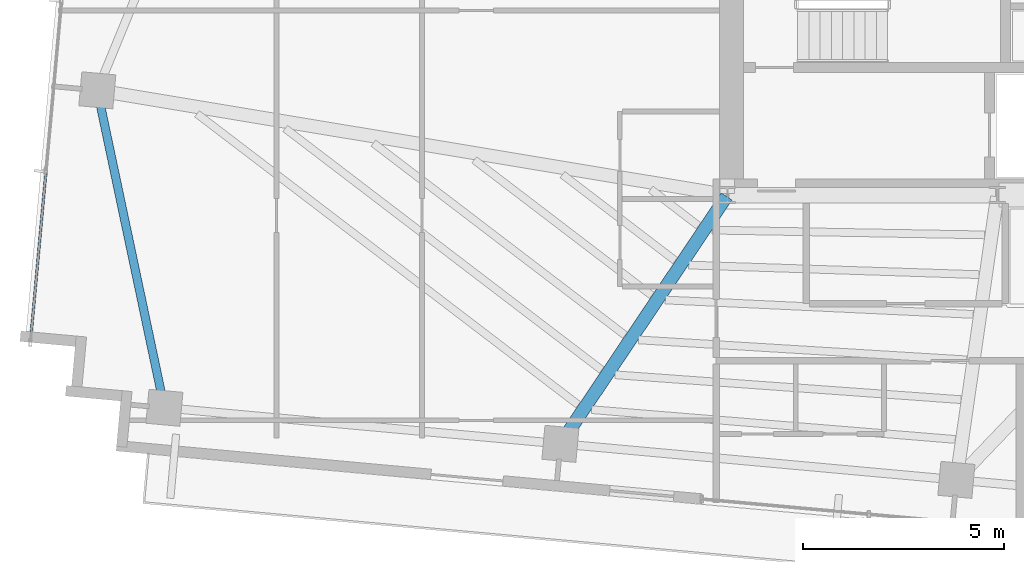
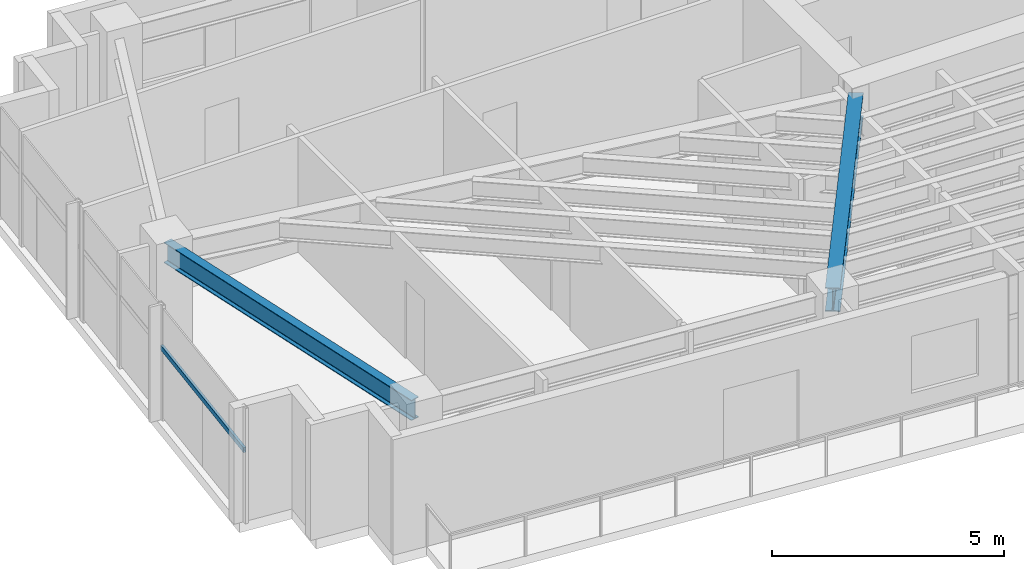
# One storey, part 3 of 22: 2 beams, 1 member, 1 element without a shape of its own.
"""IFC4 building model written with IfcOpenShell, lengths in metres."""

from ifc_helpers import new_model, si_unit, direction, frame, origin, origin_2d, place, context, subcontext, project, spatial, hollow_rectangle, i_section, extrude, source, transform, mapped, material, material_profile, profile_set, type_object, type_shapes, element, aggregate, save


model = new_model("IFC4")

# Units and contexts
model_context = context("Model", 3, precision=1e-05, world=origin(), true_north=direction((0.0, 1.0)))
body_context = subcontext(model_context, "Body", "Model", "MODEL_VIEW")
ifc_project = project(units=[si_unit("LENGTHUNIT", "METRE"), si_unit("AREAUNIT", "SQUARE_METRE"), si_unit("VOLUMEUNIT", "CUBIC_METRE"), si_unit("PLANEANGLEUNIT", "RADIAN"), si_unit("MASSUNIT", "GRAM", prefix="KILO")], contexts=[model_context])

# Site, building, storey
site_placement = place(None, origin())
site = spatial("IfcSite", under=ifc_project, at=site_placement, CompositionType="ELEMENT")
building_placement = place(site_placement, origin())
building = spatial("IfcBuilding", under=site, at=building_placement, Name="Astriad Promenade Condominiums", CompositionType="ELEMENT")
storey_placement = place(building_placement, frame((0.0, 0.0, 219.89990234375)))
storey = spatial("IfcBuildingStorey", under=building, at=storey_placement, Name="L63", CompositionType="ELEMENT", Elevation=219.89990234375)

# Beams
ifc_material_1 = material(Name="Steel ASTM A992 Grade 50", Category="steel")
ifc_material_profile_1 = material_profile(ifc_material_1, i_section(OverallWidth=0.210693359375, OverallDepth=0.53955078125, WebThickness=0.01171875, FlangeThickness=0.018798828125, FilletRadius=0.0166015625, at=origin_2d()), Name="W21X73")
ifc_profile_set_1 = profile_set([ifc_material_profile_1], Name="Steel ASTM A992 Grade 50")
beam_type_1 = type_object("IfcBeamType", Name="STEEL SPANDREL BEAM W21X73", PredefinedType="SPANDREL", material=ifc_profile_set_1)
shared_shape_1 = source(origin(), body_context, "Body", "SweptSolid", [
    extrude(i_section(OverallWidth=0.210693359375, OverallDepth=0.53955078125, WebThickness=0.01171875, FlangeThickness=0.018798828125, FilletRadius=0.0166015625, at=origin_2d()), origin(), (0.0, 0.0, 1.0), 7.99853515625),
])
type_shapes(beam_type_1, [shared_shape_1])
beam_1_placement = place(storey_placement, frame((10.719482421875, 19.97119140625, 2.7705078125), z_axis=(0.206793407277, -0.978384631271, 0.0), x_axis=(0.978384631271, 0.206793407277, 0.0)))
element("IfcBeam", 1, at=beam_1_placement, inside=storey, type_object=beam_type_1, Name="Perimeter Spandrel Beam SP-W1-L63", PredefinedType="SPANDREL", context=body_context, shape_type="MappedRepresentation", body=[
    mapped(shared_shape_1, transform((0.0, 0.0, 0.0), scale=1.0)),
])
ifc_material_profile_2 = material_profile(ifc_material_1, i_section(OverallWidth=0.326416015625, OverallDepth=0.621826171875, WebThickness=0.015380859375, FlangeThickness=0.0244140625, FilletRadius=0.017822265625, at=origin_2d()), Name="W24X131")
ifc_profile_set_2 = profile_set([ifc_material_profile_2], Name="Steel ASTM A992 Grade 50")
beam_type_2 = type_object("IfcBeamType", Name="STEEL FLOOR GIRDER W24X131", PredefinedType="BEAM", material=ifc_profile_set_2)
shared_shape_2 = source(origin(), body_context, "Body", "SweptSolid", [
    extrude(i_section(OverallWidth=0.326416015625, OverallDepth=0.621826171875, WebThickness=0.015380859375, FlangeThickness=0.0244140625, FilletRadius=0.017822265625, at=origin_2d()), origin(), (0.0, 0.0, 1.0), 7.378173828125),
])
type_shapes(beam_type_2, [shared_shape_2])
beam_2_placement = place(storey_placement, frame((22.263427734375, 11.2421875, 2.729248046875), z_axis=(0.55762901545, 0.830090284926, 0.0), x_axis=(-0.830090284926, 0.55762901545, 0.0)))
element("IfcBeam", 2, at=beam_2_placement, inside=storey, type_object=beam_type_2, Name="Primary Floor Girder PG-W2-L63", PredefinedType="BEAM", context=body_context, shape_type="MappedRepresentation", body=[
    mapped(shared_shape_2, transform((0.0, 0.0, 0.0), scale=1.0)),
])

# Curtain wall, member
ifc_material_2 = material(Name="Anodised aluminium Black Dark Glass Unitised", Category="aluminium")
curtain_wall_type = type_object("IfcCurtainWallType", Name="CW-B5-DARK", PredefinedType="USERDEFINED", material=ifc_material_2)
curtain_wall_placement = place(storey_placement, origin())
curtain_wall = element("IfcCurtainWall", 3, at=curtain_wall_placement, inside=storey, type_object=curtain_wall_type, Name="CW-L63-W", ObjectType="UNITISED_CURTAIN_WALL", PredefinedType="USERDEFINED")
ifc_material_3 = material(Name="Anodised aluminium 6063-T6 Black", Category="aluminium")
ifc_material_profile_3 = material_profile(ifc_material_3, hollow_rectangle(XDim=0.06494140625, YDim=0.1298828125, WallThickness=0.00390625, at=origin_2d()), Name="ALU-TRN-65X130")
ifc_profile_set_3 = profile_set([ifc_material_profile_3], Name="Anodised aluminium 6063-T6 Black")
member_type = type_object("IfcMemberType", Name="TRN-ALU-TRN-65X130", PredefinedType="USERDEFINED", material=ifc_profile_set_3)
shared_shape_3 = source(origin(), body_context, "Body", "SweptSolid", [
    extrude(hollow_rectangle(XDim=0.06494140625, YDim=0.1298828125, WallThickness=0.00390625, at=origin_2d()), origin(), (0.0, 0.0, 1.0), 4.2666015625),
])
type_shapes(member_type, [shared_shape_3])
member_placement = place(storey_placement, frame((9.0458984375, 13.7353515625, 1.885009765625), z_axis=(0.090638931954, 0.99588382054, 0.0), x_axis=(-0.99588382054, 0.090638931954, 0.0)))
member = element("IfcMember", 4, at=member_placement, type_object=member_type, Name="CW-L63-W-TRN-00-0", ObjectType="TRANSOM", PredefinedType="USERDEFINED", context=body_context, shape_type="MappedRepresentation", body=[
    mapped(shared_shape_3, transform((0.0, 0.0, 0.0), scale=1.0)),
])
aggregate(curtain_wall, [member])

save(model, "model.ifc")
